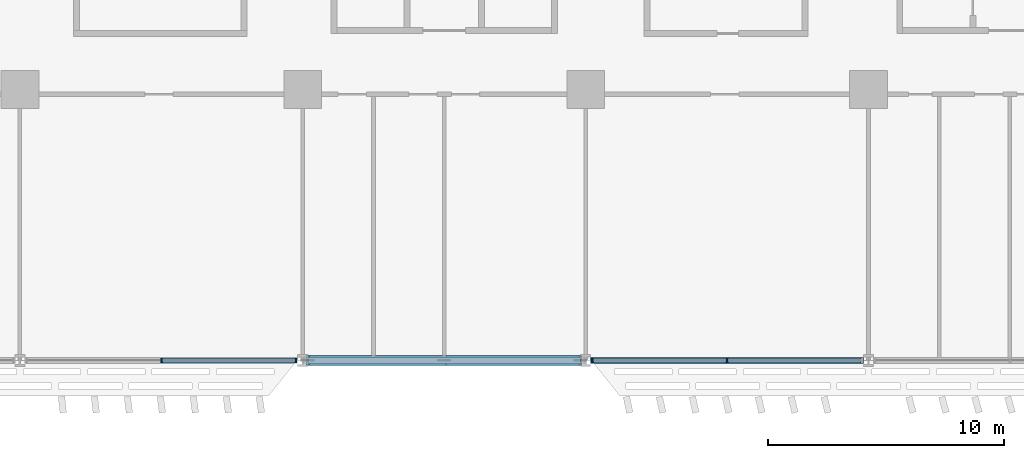
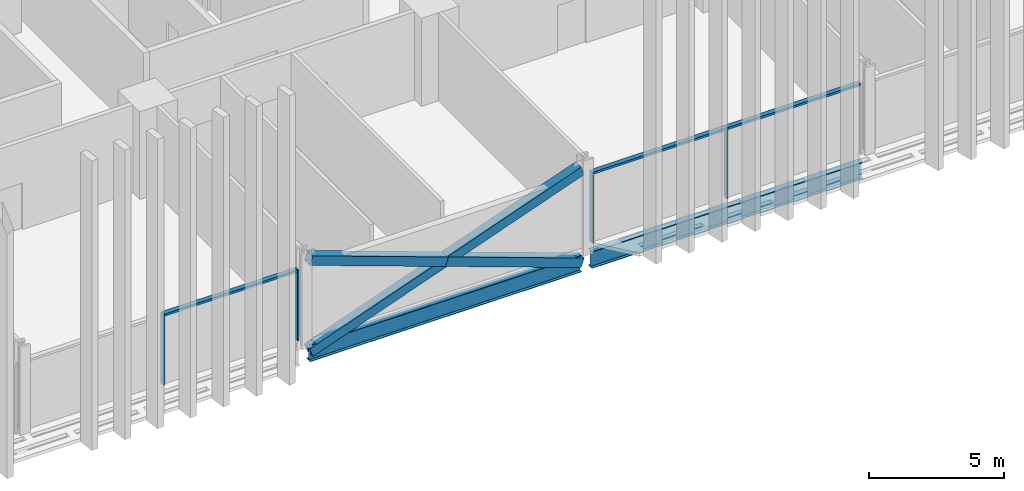
# One storey, part 4 of 29: 10 members, 2 beams, 2 elements without a shape of their own.
"""IFC4 building model written with IfcOpenShell, lengths in metres."""

from ifc_helpers import new_model, si_unit, direction, frame, origin, origin_2d, place, context, subcontext, project, spatial, rectangle, hollow_rectangle, i_section, extrude, material, material_profile, profile_set, type_object, element, aggregate, save


model = new_model("IFC4")

# Units and contexts
model_context = context("Model", 3, precision=1e-05, world=origin(), true_north=direction((0.0, 1.0)))
body_context = subcontext(model_context, "Body", "Model", "MODEL_VIEW")
ifc_project = project(units=[si_unit("LENGTHUNIT", "METRE"), si_unit("AREAUNIT", "SQUARE_METRE"), si_unit("VOLUMEUNIT", "CUBIC_METRE"), si_unit("PLANEANGLEUNIT", "RADIAN"), si_unit("MASSUNIT", "GRAM", prefix="KILO")], contexts=[model_context])

# Site, building, storey
site_placement = place(None, origin())
site = spatial("IfcSite", under=ifc_project, at=site_placement, CompositionType="ELEMENT")
building_placement = place(site_placement, origin())
building = spatial("IfcBuilding", under=site, at=building_placement, Name="Mahtab Terrace Research Tower", CompositionType="ELEMENT")
storey_placement = place(building_placement, frame((0.0, 0.0, 24.39990234375)))
storey = spatial("IfcBuildingStorey", under=building, at=storey_placement, Name="L05", CompositionType="ELEMENT", Elevation=24.39990234375)

# Members
ifc_material_1 = material(Name="Steel ASTM A500 Gr C", Category="steel")
ifc_material_profile_1 = material_profile(ifc_material_1, hollow_rectangle(XDim=0.406494140625, YDim=0.406494140625, WallThickness=0.01904296875, at=origin_2d()), Name="HSS16X16X3/4")
ifc_profile_set_1 = profile_set([ifc_material_profile_1], Name="Steel ASTM A500 Gr C")
member_type_1 = type_object("IfcMemberType", Name="HSS 16x16x3/4 brace XB161634", PredefinedType="BRACE", material=ifc_profile_set_1)
member_1_placement = place(storey_placement, frame((-5.7841796875, -23.0, -0.640869140625), z_axis=(0.941388097231, 0.0, 0.337325436917), x_axis=(0.0, 1.0, 0.0)))
element("IfcMember", 1, at=member_1_placement, inside=storey, type_object=member_type_1, Name="Exoskeleton brace L05 15 a", PredefinedType="BRACE", context=body_context, shape_type="SweptSolid", body=[
    extrude(hollow_rectangle(XDim=0.406494140625, YDim=0.406494140625, WallThickness=0.01904296875, at=origin_2d()), origin(), (0.0, 0.0, 1.0), 12.28857421875),
])
for number, where, z_axis, x_axis, name in (
    (2, (5.7841796875, -23.0, -0.640869140625), (-0.941394406025, 0.0, 0.337307830185), (0.0, -1.0, 0.0), "Exoskeleton brace L05 15 b1"),
    (3, (0.0, -23.0, 1.431640625), (-0.941381788192, 0.0, 0.337343043295), (0.0, -1.0, 0.0), "Exoskeleton brace L05 15 b2"),
):
    element("IfcMember", number, at=place(storey_placement, frame(where, z_axis=z_axis, x_axis=x_axis)), inside=storey, type_object=member_type_1, Name=name, PredefinedType="BRACE", context=body_context, shape_type="SweptSolid", body=[
        extrude(hollow_rectangle(XDim=0.406494140625, YDim=0.406494140625, WallThickness=0.01904296875, at=origin_2d()), origin(), (0.0, 0.0, 1.0), 6.144287109375),
    ])

# Curtain wall, members
ifc_material_2 = material(Name="Laboratory ribbon curtain wall")
curtain_wall_type = type_object("IfcCurtainWallType", Name="Laboratory ribbon curtain wall", PredefinedType="NOTDEFINED", material=ifc_material_2)
curtain_wall_1_placement = place(storey_placement, origin())
curtain_wall_1 = element("IfcCurtainWall", 4, at=curtain_wall_1_placement, inside=storey, type_object=curtain_wall_type, Name="EN.L05.13.24", PredefinedType="NOTDEFINED")
ifc_material_3 = material(Name="Natural anodised aluminium", Category="aluminium")
ifc_material_profile_2 = material_profile(ifc_material_3, rectangle(XDim=0.199951171875, YDim=0.06494140625, at=origin_2d()), Name="MULLION 65x200")
ifc_profile_set_2 = profile_set([ifc_material_profile_2], Name="Natural anodised aluminium")
member_type_2 = type_object("IfcMemberType", Name="Laboratory ribbon curtain wall mullion", PredefinedType="MULLION", material=ifc_profile_set_2)
member_2_placement = place(storey_placement, frame((-12.0, -23.0, 0.0), z_axis=(0.0, 0.0, 1.0), x_axis=(0.0, 1.0, 0.0)))
member_2 = element("IfcMember", 5, at=member_2_placement, type_object=member_type_2, Name="CWL-1 mullion 2", PredefinedType="MULLION", context=body_context, shape_type="SweptSolid", body=[
    extrude(rectangle(XDim=0.199951171875, YDim=0.06494140625, at=origin_2d()), origin(), (0.0, 0.0, 1.0), 3.203125),
])
member_3_placement = place(storey_placement, frame((-6.281494140625, -23.0, 0.0), z_axis=(0.0, 0.0, 1.0), x_axis=(0.0, 1.0, 0.0)))
member_3 = element("IfcMember", 6, at=member_3_placement, type_object=member_type_2, Name="CWL-1 mullion 3", PredefinedType="MULLION", context=body_context, shape_type="SweptSolid", body=[
    extrude(rectangle(XDim=0.199951171875, YDim=0.06494140625, at=origin_2d()), origin(), (0.0, 0.0, 1.0), 3.203125),
])

curtain_wall_2_placement = place(storey_placement, origin())
curtain_wall_2 = element("IfcCurtainWall", 7, at=curtain_wall_2_placement, inside=storey, type_object=curtain_wall_type, Name="EN.L05.13.26", PredefinedType="NOTDEFINED")
member_4_placement = place(storey_placement, frame((6.281494140625, -23.0, 0.0), z_axis=(0.0, 0.0, 1.0), x_axis=(0.0, 1.0, 0.0)))
member_4 = element("IfcMember", 8, at=member_4_placement, type_object=member_type_2, Name="CWL-1 mullion 1", PredefinedType="MULLION", context=body_context, shape_type="SweptSolid", body=[
    extrude(rectangle(XDim=0.199951171875, YDim=0.06494140625, at=origin_2d()), origin(), (0.0, 0.0, 1.0), 3.203125),
])
member_5_placement = place(storey_placement, frame((12.0, -23.0, 0.0), z_axis=(0.0, 0.0, 1.0), x_axis=(0.0, 1.0, 0.0)))
member_5 = element("IfcMember", 9, at=member_5_placement, type_object=member_type_2, Name="CWL-1 mullion 2", PredefinedType="MULLION", context=body_context, shape_type="SweptSolid", body=[
    extrude(rectangle(XDim=0.199951171875, YDim=0.06494140625, at=origin_2d()), origin(), (0.0, 0.0, 1.0), 3.203125),
])

# Member
ifc_material_profile_3 = material_profile(ifc_material_3, rectangle(XDim=0.199951171875, YDim=0.10009765625, at=origin_2d()), Name="TRANSOM 100x200")
ifc_profile_set_3 = profile_set([ifc_material_profile_3], Name="Natural anodised aluminium")
member_type_3 = type_object("IfcMemberType", Name="Laboratory ribbon curtain wall transom", PredefinedType="USERDEFINED", material=ifc_profile_set_3)
member_6_placement = place(storey_placement, frame((-11.967529296875, -23.0, 3.153076171875), z_axis=(1.0, 0.0, 0.0), x_axis=(0.0, 1.0, 0.0)))
member_6 = element("IfcMember", 10, at=member_6_placement, type_object=member_type_3, Name="CWL-1 transom 2", ObjectType="TRANSOM", PredefinedType="USERDEFINED", context=body_context, shape_type="SweptSolid", body=[
    extrude(rectangle(XDim=0.199951171875, YDim=0.10009765625, at=origin_2d()), origin(), (0.0, 0.0, 1.0), 5.653564453125),
])

aggregate(curtain_wall_1, [member_2, member_3, member_6])

member_7_placement = place(storey_placement, frame((6.31396484375, -23.0, 3.153076171875), z_axis=(1.0, 0.0, 0.0), x_axis=(0.0, 1.0, 0.0)))
member_7 = element("IfcMember", 11, at=member_7_placement, type_object=member_type_3, Name="CWL-1 transom 1", ObjectType="TRANSOM", PredefinedType="USERDEFINED", context=body_context, shape_type="SweptSolid", body=[
    extrude(rectangle(XDim=0.199951171875, YDim=0.10009765625, at=origin_2d()), origin(), (0.0, 0.0, 1.0), 5.653564453125),
])

member_8_placement = place(storey_placement, frame((12.032470703125, -23.0, 3.153076171875), z_axis=(1.0, 0.0, 0.0), x_axis=(0.0, 1.0, 0.0)))
member_8 = element("IfcMember", 12, at=member_8_placement, type_object=member_type_3, Name="CWL-1 transom 2", ObjectType="TRANSOM", PredefinedType="USERDEFINED", context=body_context, shape_type="SweptSolid", body=[
    extrude(rectangle(XDim=0.199951171875, YDim=0.10009765625, at=origin_2d()), origin(), (0.0, 0.0, 1.0), 5.653564453125),
])

aggregate(curtain_wall_2, [member_4, member_5, member_7, member_8])

# Beams
ifc_material_4 = material(Name="Steel ASTM A992 Gr 50", Category="steel")
ifc_material_profile_4 = material_profile(ifc_material_4, i_section(OverallWidth=0.2666015625, OverallDepth=0.7568359375, WebThickness=0.013916015625, FlangeThickness=0.019287109375, at=origin_2d()), Name="W30X108")
ifc_profile_set_4 = profile_set([ifc_material_profile_4], Name="Steel ASTM A992 Gr 50")
beam_type = type_object("IfcBeamType", Name="W30x108 beam BS30108", PredefinedType="BEAM", material=ifc_profile_set_4)
for number, where, z_axis, x_axis, name in (
    (13, (-5.7841796875, -23.0, -0.71826171875), (1.0, 0.0, 0.0), (0.0, 1.0, 0.0), "Spandrel beam L05 15"),
    (14, (6.2158203125, -23.0, -0.71826171875), (1.0, 0.0, 0.0), (0.0, 1.0, 0.0), "Spandrel beam L05 16"),
):
    element("IfcBeam", number, at=place(storey_placement, frame(where, z_axis=z_axis, x_axis=x_axis)), inside=storey, type_object=beam_type, Name=name, PredefinedType="BEAM", context=body_context, shape_type="SweptSolid", body=[
        extrude(i_section(OverallWidth=0.2666015625, OverallDepth=0.7568359375, WebThickness=0.013916015625, FlangeThickness=0.019287109375, at=origin_2d()), origin(), (0.0, 0.0, 1.0), 11.568359375),
    ])

save(model, "model.ifc")
